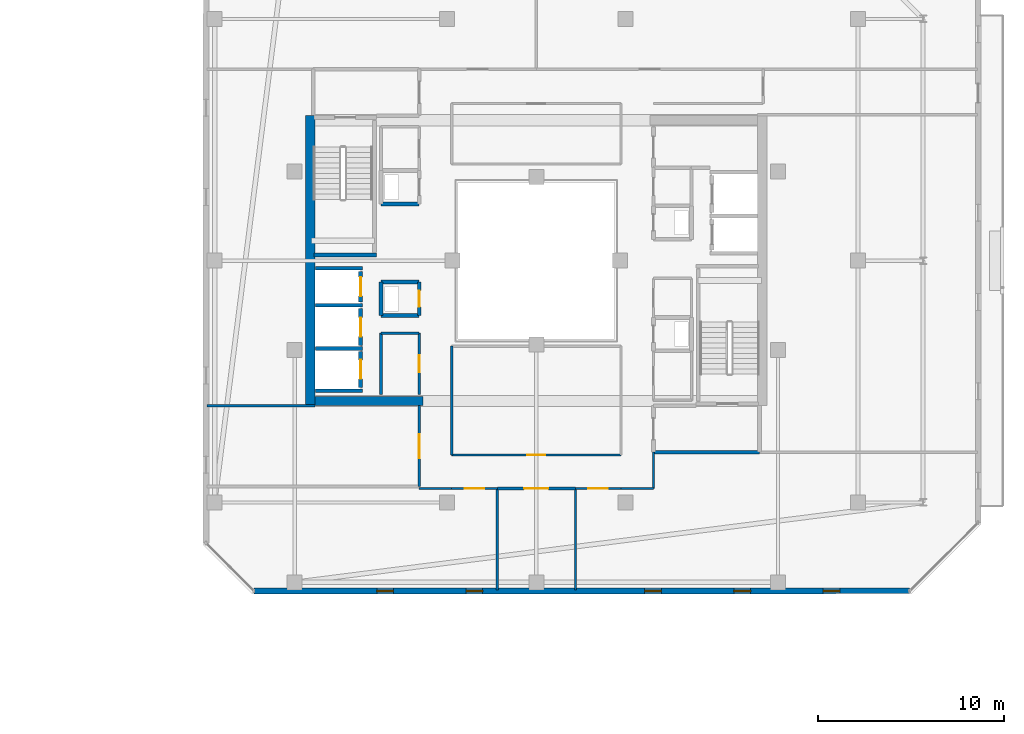
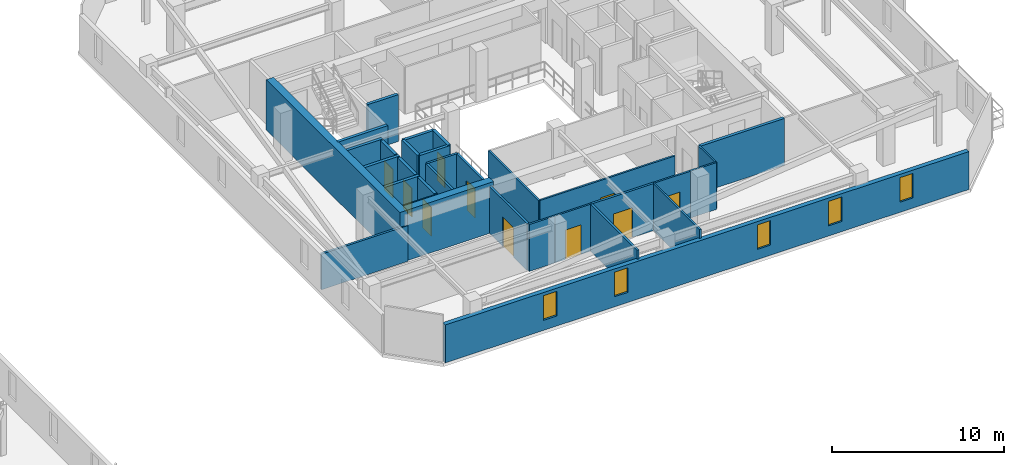
# One storey, part 25 of 34: 32 walls, 10 doors, 5 windows, 15 openings.
"""IFC4 building model written with IfcOpenShell, lengths in metres."""

from ifc_helpers import new_model, si_unit, direction, frame, frame_2d, origin, place, context, subcontext, project, spatial, rectangle, extrude, material, layer, layer_set, type_object, element, fill, save


model = new_model("IFC4")

# Units and contexts
model_context = context("Model", 3, precision=1e-05, world=origin(), true_north=direction((0.0, 1.0)))
body_context = subcontext(model_context, "Body", "Model", "MODEL_VIEW")
ifc_project = project(units=[si_unit("LENGTHUNIT", "METRE"), si_unit("AREAUNIT", "SQUARE_METRE"), si_unit("VOLUMEUNIT", "CUBIC_METRE"), si_unit("PLANEANGLEUNIT", "RADIAN"), si_unit("MASSUNIT", "GRAM", prefix="KILO")], contexts=[model_context])

# Site, building, storey
site_placement = place(None, origin())
site = spatial("IfcSite", under=ifc_project, at=site_placement, CompositionType="ELEMENT")
building_placement = place(site_placement, origin())
building = spatial("IfcBuilding", under=site, at=building_placement, Name="Thornwick Lancets Civic Towers", CompositionType="ELEMENT")
storey_placement = place(building_placement, frame((0.0, 0.0, 261.89990234375)))
storey = spatial("IfcBuildingStorey", under=building, at=storey_placement, Name="L70", CompositionType="ELEMENT", Elevation=261.89990234375)

# Wall, opening, door
ifc_material_1 = material(Name="Concrete blockwork C40/50", Category="masonry")
ifc_layer_1 = layer(ifc_material_1, 0.199951171875, Name="Concrete blockwork C40/50")
ifc_layer_set_1 = layer_set([ifc_layer_1], Name="Concrete blockwork C40/50")
wall_type_1 = type_object("IfcWallType", Name="WALL_COMP_200", PredefinedType="STANDARD", material=ifc_layer_set_1)
wall_1_placement = place(storey_placement, frame((79.050048828125, 24.780029296875, 0.0), z_axis=(0.0, 0.0, 1.0), x_axis=(0.0, 1.0, 0.0)))
wall_1 = element("IfcWall", 1, at=wall_1_placement, inside=storey, type_object=wall_type_1, Name="L70 Hoistway Front Wall FL-B2", PredefinedType="STANDARD", context=body_context, shape_type="SweptSolid", body=[
    extrude(rectangle(XDim=1.639892578125, YDim=0.199951171875, at=frame_2d((0.81982421875, 0.0))), origin(), (0.0, 0.0, 1.0), 3.340087890625),
])
opening_1_placement = place(wall_1_placement, frame((0.31005859375, 0.0, 0.0)))
opening_1 = element("IfcOpeningElement", 2, at=opening_1_placement, cuts=wall_1, Name="Opening LD-FL-B2", PredefinedType="OPENING", context=body_context, shape_type="SweptSolid", body=[
    extrude(rectangle(XDim=1.02001953125, YDim=2.06005859375, at=frame_2d((0.510009765625, 1.030029296875))), frame((0.0, 0.10986328125, 0.0), z_axis=(0.0, -1.0, 0.0), x_axis=(1.0, 0.0, 0.0)), (0.0, 0.0, 1.0), 0.219970703125),
])
ifc_material_2 = material(Name="Brushed bronze stainless steel", Category="steel")
door_type_1 = type_object("IfcDoorType", Name="DOOR_LIFT_SLIDE", OperationType="SLIDING_TO_LEFT", PredefinedType="DOOR", material=ifc_material_2)
door_1_placement = place(opening_1_placement, origin())
door_1 = element("IfcDoor", 3, at=door_1_placement, inside=storey, type_object=door_type_1, Name="L70 Sliding Lift Landing Door LD-FL-B2", OperationType="SLIDING_TO_LEFT", OverallHeight=2.06005859375, OverallWidth=1.02001953125, PredefinedType="DOOR", context=body_context, shape_type="SweptSolid", body=[
    extrude(rectangle(XDim=1.02001953125, YDim=2.06005859375, at=frame_2d((0.510009765625, 1.030029296875))), frame((0.0, 0.02490234375, 0.0), z_axis=(0.0, -1.0, 0.0), x_axis=(1.0, 0.0, 0.0)), (0.0, 0.0, 1.0), 0.050048828125),
])
fill(opening_1, door_1)

wall_2_placement = place(storey_placement, frame((79.050048828125, 22.429931640625, 0.0), z_axis=(0.0, 0.0, 1.0), x_axis=(0.0, 1.0, 0.0)))
wall_2 = element("IfcWall", 4, at=wall_2_placement, inside=storey, type_object=wall_type_1, Name="L70 Hoistway Front Wall PL-BH2", PredefinedType="STANDARD", context=body_context, shape_type="SweptSolid", body=[
    extrude(rectangle(XDim=1.989990234375, YDim=0.199951171875, at=frame_2d((0.9951171875, 0.0))), origin(), (0.0, 0.0, 1.0), 3.340087890625),
])
opening_2_placement = place(wall_2_placement, frame((0.485107421875, 0.0, 0.0)))
opening_2 = element("IfcOpeningElement", 5, at=opening_2_placement, cuts=wall_2, Name="Opening LD-PL-BH2", PredefinedType="OPENING", context=body_context, shape_type="SweptSolid", body=[
    extrude(rectangle(XDim=1.02001953125, YDim=2.06005859375, at=frame_2d((0.510009765625, 1.030029296875))), frame((0.0, 0.10986328125, 0.0), z_axis=(0.0, -1.0, 0.0), x_axis=(1.0, 0.0, 0.0)), (0.0, 0.0, 1.0), 0.219970703125),
])
door_2_placement = place(opening_2_placement, origin())
door_2 = element("IfcDoor", 6, at=door_2_placement, inside=storey, type_object=door_type_1, Name="L70 Sliding Lift Landing Door LD-PL-BH2", OperationType="SLIDING_TO_LEFT", OverallHeight=2.06005859375, OverallWidth=1.02001953125, PredefinedType="DOOR", context=body_context, shape_type="SweptSolid", body=[
    extrude(rectangle(XDim=1.02001953125, YDim=2.06005859375, at=frame_2d((0.510009765625, 1.030029296875))), frame((0.0, 0.02490234375, 0.0), z_axis=(0.0, -1.0, 0.0), x_axis=(1.0, 0.0, 0.0)), (0.0, 0.0, 1.0), 0.050048828125),
])
fill(opening_2, door_2)

wall_3_placement = place(storey_placement, frame((79.050048828125, 20.179931640625, 0.0), z_axis=(0.0, 0.0, 1.0), x_axis=(0.0, 1.0, 0.0)))
wall_3 = element("IfcWall", 7, at=wall_3_placement, inside=storey, type_object=wall_type_1, Name="L70 Hoistway Front Wall PL-BH3", PredefinedType="STANDARD", context=body_context, shape_type="SweptSolid", body=[
    extrude(rectangle(XDim=1.940185546875, YDim=0.199951171875, at=frame_2d((0.97021484375, 0.0))), origin(), (0.0, 0.0, 1.0), 3.340087890625),
])
opening_3_placement = place(wall_3_placement, frame((0.4599609375, 0.0, 0.0)))
opening_3 = element("IfcOpeningElement", 8, at=opening_3_placement, cuts=wall_3, Name="Opening LD-PL-BH3", PredefinedType="OPENING", context=body_context, shape_type="SweptSolid", body=[
    extrude(rectangle(XDim=1.02001953125, YDim=2.06005859375, at=frame_2d((0.510009765625, 1.030029296875))), frame((0.0, 0.10986328125, 0.0), z_axis=(0.0, -1.0, 0.0), x_axis=(1.0, 0.0, 0.0)), (0.0, 0.0, 1.0), 0.219970703125),
])
door_3_placement = place(opening_3_placement, origin())
door_3 = element("IfcDoor", 9, at=door_3_placement, inside=storey, type_object=door_type_1, Name="L70 Sliding Lift Landing Door LD-PL-BH3", OperationType="SLIDING_TO_LEFT", OverallHeight=2.06005859375, OverallWidth=1.02001953125, PredefinedType="DOOR", context=body_context, shape_type="SweptSolid", body=[
    extrude(rectangle(XDim=1.02001953125, YDim=2.06005859375, at=frame_2d((0.510009765625, 1.030029296875))), frame((0.0, 0.02490234375, 0.0), z_axis=(0.0, -1.0, 0.0), x_axis=(1.0, 0.0, 0.0)), (0.0, 0.0, 1.0), 0.050048828125),
])
fill(opening_3, door_3)

# Walls
for number, where, z_axis, x_axis, name in (
    (10, (76.612060546875, 26.60009765625, 0.0), (0.0, 0.0, 1.0), (1.0, 0.0, 0.0), "L70 Hoistway Shaft Wall FL-B2 N"),
    (11, (76.612060546875, 24.60009765625, 0.0), (0.0, 0.0, 1.0), (1.0, 0.0, 0.0), "L70 Hoistway Shaft Wall FL-B2 S"),
    (12, (76.612060546875, 22.27490234375, 0.0), (0.0, 0.0, 1.0), (1.0, 0.0, 0.0), "L70 Hoistway Shaft Wall PL-BH2 S"),
    (13, (76.612060546875, 20.0, 0.0), (0.0, 0.0, 1.0), (1.0, 0.0, 0.0), "L70 Hoistway Shaft Wall PL-BH3 S"),
):
    element("IfcWall", number, at=place(storey_placement, frame(where, z_axis=z_axis, x_axis=x_axis)), inside=storey, type_object=wall_type_1, Name=name, PredefinedType="STANDARD", context=body_context, shape_type="SweptSolid", body=[
        extrude(rectangle(XDim=2.535888671875, YDim=0.199951171875, at=frame_2d((1.26806640625, 0.0))), origin(), (0.0, 0.0, 1.0), 3.340087890625),
    ])
wall_4_placement = place(storey_placement, frame((94.800048828125, 16.699951171875, 0.0), z_axis=(0.0, 0.0, 1.0), x_axis=(1.0, 0.0, 0.0)))
element("IfcWall", 14, at=wall_4_placement, inside=storey, type_object=wall_type_1, Name="L70 Partition L70-B-FFLOB1 E1", PredefinedType="STANDARD", context=body_context, shape_type="SweptSolid", body=[
    extrude(rectangle(XDim=5.699951171875, YDim=0.199951171875, at=frame_2d((2.85009765625, 0.0))), origin(), (0.0, 0.0, 1.0), 3.340087890625),
])
wall_5_placement = place(storey_placement, frame((80.14990234375, 24.050048828125, 0.0), z_axis=(0.0, 0.0, 1.0), x_axis=(1.0, 0.0, 0.0)))
element("IfcWall", 15, at=wall_5_placement, inside=storey, type_object=wall_type_1, Name="L70 Partition L70-B-DUCT2 E1", PredefinedType="STANDARD", context=body_context, shape_type="SweptSolid", body=[
    extrude(rectangle(XDim=2.050048828125, YDim=0.199951171875, at=frame_2d((1.02490234375, 0.0))), origin(), (0.0, 0.0, 1.0), 3.340087890625),
])

# Wall, opening, door
wall_6_placement = place(storey_placement, frame((82.199951171875, 24.050048828125, 0.0), z_axis=(0.0, 0.0, 1.0), x_axis=(0.0, 1.0, 0.0)))
wall_6 = element("IfcWall", 16, at=wall_6_placement, inside=storey, type_object=wall_type_1, Name="L70 Partition L70-B-DUCT2 E2", PredefinedType="STANDARD", context=body_context, shape_type="SweptSolid", body=[
    extrude(rectangle(XDim=1.800048828125, YDim=0.199951171875, at=frame_2d((0.89990234375, 0.0))), origin(), (0.0, 0.0, 1.0), 3.340087890625),
])
opening_4_placement = place(wall_6_placement, frame((0.4599609375, 0.0, 0.0)))
opening_4 = element("IfcOpeningElement", 17, at=opening_4_placement, cuts=wall_6, Name="Opening D-L70-3195", PredefinedType="OPENING", context=body_context, shape_type="SweptSolid", body=[
    extrude(rectangle(XDim=0.8798828125, YDim=2.0400390625, at=frame_2d((0.43994140625, 1.02001953125))), frame((0.0, 0.10986328125, 0.0), z_axis=(0.0, -1.0, 0.0), x_axis=(1.0, 0.0, 0.0)), (0.0, 0.0, 1.0), 0.219970703125),
])
ifc_material_3 = material(Name="Steel riser access doorset", Category="steel")
door_type_2 = type_object("IfcDoorType", Name="DOOR_RISER_850", OperationType="NOTDEFINED", PredefinedType="DOOR", material=ifc_material_3)
door_4_placement = place(opening_4_placement, origin())
door_4 = element("IfcDoor", 18, at=door_4_placement, inside=storey, type_object=door_type_2, Name="L70 West Service Duct 2 Door", OperationType="SINGLE_SWING_RIGHT", OverallHeight=2.0400390625, OverallWidth=0.8798828125, PredefinedType="DOOR", context=body_context, shape_type="SweptSolid", body=[
    extrude(rectangle(XDim=0.8798828125, YDim=2.0400390625, at=frame_2d((0.43994140625, 1.02001953125))), frame((0.0, 0.02490234375, 0.0), z_axis=(0.0, -1.0, 0.0), x_axis=(1.0, 0.0, 0.0)), (0.0, 0.0, 1.0), 0.050048828125),
])
fill(opening_4, door_4)

# Walls
wall_7_placement = place(storey_placement, frame((82.199951171875, 25.85009765625, 0.0), z_axis=(0.0, 0.0, 1.0), x_axis=(-1.0, 0.0, 0.0)))
element("IfcWall", 19, at=wall_7_placement, inside=storey, type_object=wall_type_1, Name="L70 Partition L70-B-DUCT2 E3", PredefinedType="STANDARD", context=body_context, shape_type="SweptSolid", body=[
    extrude(rectangle(XDim=2.050048828125, YDim=0.199951171875, at=frame_2d((1.02490234375, 0.0))), origin(), (0.0, 0.0, 1.0), 3.340087890625),
])
wall_8_placement = place(storey_placement, frame((80.14990234375, 25.85009765625, 0.0), z_axis=(0.0, 0.0, 1.0), x_axis=(0.0, -1.0, 0.0)))
element("IfcWall", 20, at=wall_8_placement, inside=storey, type_object=wall_type_1, Name="L70 Partition L70-B-DUCT2 E4", PredefinedType="STANDARD", context=body_context, shape_type="SweptSolid", body=[
    extrude(rectangle(XDim=1.800048828125, YDim=0.199951171875, at=frame_2d((0.89990234375, 0.0))), origin(), (0.0, 0.0, 1.0), 3.340087890625),
])
wall_9_placement = place(storey_placement, frame((80.14990234375, 30.050048828125, 0.0), z_axis=(0.0, 0.0, 1.0), x_axis=(1.0, 0.0, 0.0)))
element("IfcWall", 21, at=wall_9_placement, inside=storey, type_object=wall_type_1, Name="L70 Partition L70-B-RISER2 E1", PredefinedType="STANDARD", context=body_context, shape_type="SweptSolid", body=[
    extrude(rectangle(XDim=2.050048828125, YDim=0.199951171875, at=frame_2d((1.02490234375, 0.0))), origin(), (0.0, 0.0, 1.0), 3.340087890625),
])
ifc_material_4 = material(Name="Concrete C50/60", Category="concrete")
ifc_layer_2 = layer(ifc_material_4, 0.5, Name="Concrete C50/60")
ifc_layer_set_2 = layer_set([ifc_layer_2], Name="Concrete C50/60")
wall_type_2 = type_object("IfcWallType", Name="WALL_CORE_500", PredefinedType="SHEAR", material=ifc_layer_set_2)
wall_10_placement = place(storey_placement, frame((76.35009765625, 19.199951171875, 0.0), z_axis=(0.0, 0.0, 1.0), x_axis=(0.0, 1.0, 0.0)))
element("IfcWall", 22, at=wall_10_placement, inside=storey, type_object=wall_type_2, Name="L70 Split Core B2 Shear Wall W", PredefinedType="SHEAR", context=body_context, shape_type="SweptSolid", body=[
    extrude(rectangle(XDim=15.60009765625, YDim=0.5, at=frame_2d((7.800048828125, 0.0))), origin(), (0.0, 0.0, 1.0), 3.60009765625),
])
wall_11_placement = place(storey_placement, frame((76.60009765625, 19.449951171875, 0.0), z_axis=(0.0, 0.0, 1.0), x_axis=(1.0, 0.0, 0.0)))
element("IfcWall", 23, at=wall_11_placement, inside=storey, type_object=wall_type_2, Name="L70 Split Core B2 Shear Wall S", PredefinedType="SHEAR", context=body_context, shape_type="SweptSolid", body=[
    extrude(rectangle(XDim=5.7998046875, YDim=0.5, at=frame_2d((2.89990234375, 0.0))), origin(), (0.0, 0.0, 1.0), 3.60009765625),
])

# Wall, openings, windows
ifc_material_5 = material(Name="Insulated russet terracotta rainscreen on concrete C40/50", Category="masonry")
ifc_layer_3 = layer(ifc_material_5, 0.300048828125, Name="Insulated russet terracotta rainscreen on concrete C40/50")
ifc_layer_set_3 = layer_set([ifc_layer_3], Name="Insulated russet terracotta rainscreen on concrete C40/50")
wall_type_3 = type_object("IfcWallType", Name="WALL_EXT_RUSSET_300", PredefinedType="STANDARD", material=ifc_layer_set_3)
wall_12_placement = place(storey_placement, frame((73.318603515625, 9.2353515625, 0.0), z_axis=(0.0, 0.0, 1.0), x_axis=(0.999999994606, 0.000103863011, 0.0)))
wall_12 = element("IfcWall", 24, at=wall_12_placement, inside=storey, type_object=wall_type_3, Name="L70 Tower B Terracotta Facade Wall E0", PredefinedType="STANDARD", context=body_context, shape_type="SweptSolid", body=[
    extrude(rectangle(XDim=35.259033203125, YDim=0.300048828125, at=frame_2d((17.62939453125, 0.0))), origin(), (0.0, 0.0, 1.0), 2.7001953125),
])
opening_5_placement = place(wall_12_placement, frame((6.60009765625, 0.0, 0.719970703125)))
opening_5 = element("IfcOpeningElement", 25, at=opening_5_placement, cuts=wall_12, Name="Opening WL-01", PredefinedType="OPENING", context=body_context, shape_type="SweptSolid", body=[
    extrude(rectangle(XDim=0.89990234375, YDim=1.75, at=frame_2d((0.449951171875, 0.875))), frame((0.0, 0.16015625, 0.0), z_axis=(0.0, -1.0, 0.0), x_axis=(1.0, 0.0, 0.0)), (0.0, 0.0, 1.0), 0.320068359375),
])
opening_6_placement = place(wall_12_placement, frame((11.39990234375, 0.0, 0.719970703125)))
opening_6 = element("IfcOpeningElement", 26, at=opening_6_placement, cuts=wall_12, Name="Opening WL-01", PredefinedType="OPENING", context=body_context, shape_type="SweptSolid", body=[
    extrude(rectangle(XDim=0.89990234375, YDim=1.75, at=frame_2d((0.449951171875, 0.875))), frame((0.0, 0.16015625, 0.0), z_axis=(0.0, -1.0, 0.0), x_axis=(1.0, 0.0, 0.0)), (0.0, 0.0, 1.0), 0.320068359375),
])
opening_7_placement = place(wall_12_placement, frame((21.0, 0.0, 0.719970703125)))
opening_7 = element("IfcOpeningElement", 27, at=opening_7_placement, cuts=wall_12, Name="Opening WL-01", PredefinedType="OPENING", context=body_context, shape_type="SweptSolid", body=[
    extrude(rectangle(XDim=0.89990234375, YDim=1.75, at=frame_2d((0.449951171875, 0.875))), frame((0.0, 0.16015625, 0.0), z_axis=(0.0, -1.0, 0.0), x_axis=(1.0, 0.0, 0.0)), (0.0, 0.0, 1.0), 0.320068359375),
])
opening_8_placement = place(wall_12_placement, frame((25.800048828125, 0.0, 0.719970703125)))
opening_8 = element("IfcOpeningElement", 28, at=opening_8_placement, cuts=wall_12, Name="Opening WL-01", PredefinedType="OPENING", context=body_context, shape_type="SweptSolid", body=[
    extrude(rectangle(XDim=0.89990234375, YDim=1.75, at=frame_2d((0.449951171875, 0.875))), frame((0.0, 0.16015625, 0.0), z_axis=(0.0, -1.0, 0.0), x_axis=(1.0, 0.0, 0.0)), (0.0, 0.0, 1.0), 0.320068359375),
])
opening_9_placement = place(wall_12_placement, frame((30.60009765625, 0.0, 0.719970703125)))
opening_9 = element("IfcOpeningElement", 29, at=opening_9_placement, cuts=wall_12, Name="Opening WL-01", PredefinedType="OPENING", context=body_context, shape_type="SweptSolid", body=[
    extrude(rectangle(XDim=0.89990234375, YDim=1.75, at=frame_2d((0.449951171875, 0.875))), frame((0.0, 0.16015625, 0.0), z_axis=(0.0, -1.0, 0.0), x_axis=(1.0, 0.0, 0.0)), (0.0, 0.0, 1.0), 0.320068359375),
])
ifc_material_6 = material(Name="Clear low-e double glazing in bronze frame", Category="glass")
window_type = type_object("IfcWindowType", Name="WIN_LANCET_900", PartitioningType="SINGLE_PANEL", PredefinedType="WINDOW", material=ifc_material_6)
window_1_placement = place(opening_5_placement, origin())
window_1 = element("IfcWindow", 30, at=window_1_placement, inside=storey, type_object=window_type, Name="L70 Tower B Staggered Lancet Window E0-1", OverallHeight=1.75, OverallWidth=0.89990234375, PartitioningType="SINGLE_PANEL", PredefinedType="WINDOW", context=body_context, shape_type="SweptSolid", body=[
    extrude(rectangle(XDim=0.89990234375, YDim=1.75, at=frame_2d((0.449951171875, 0.875))), frame((0.0, 0.030029296875, 0.0), z_axis=(0.0, -1.0, 0.0), x_axis=(1.0, 0.0, 0.0)), (0.0, 0.0, 1.0), 0.06005859375),
])
fill(opening_5, window_1)
window_2_placement = place(opening_6_placement, origin())
window_2 = element("IfcWindow", 31, at=window_2_placement, inside=storey, type_object=window_type, Name="L70 Tower B Staggered Lancet Window E0-2", OverallHeight=1.75, OverallWidth=0.89990234375, PartitioningType="SINGLE_PANEL", PredefinedType="WINDOW", context=body_context, shape_type="SweptSolid", body=[
    extrude(rectangle(XDim=0.89990234375, YDim=1.75, at=frame_2d((0.449951171875, 0.875))), frame((0.0, 0.030029296875, 0.0), z_axis=(0.0, -1.0, 0.0), x_axis=(1.0, 0.0, 0.0)), (0.0, 0.0, 1.0), 0.06005859375),
])
fill(opening_6, window_2)
window_3_placement = place(opening_7_placement, origin())
window_3 = element("IfcWindow", 32, at=window_3_placement, inside=storey, type_object=window_type, Name="L70 Tower B Staggered Lancet Window E0-3", OverallHeight=1.75, OverallWidth=0.89990234375, PartitioningType="SINGLE_PANEL", PredefinedType="WINDOW", context=body_context, shape_type="SweptSolid", body=[
    extrude(rectangle(XDim=0.89990234375, YDim=1.75, at=frame_2d((0.449951171875, 0.875))), frame((0.0, 0.030029296875, 0.0), z_axis=(0.0, -1.0, 0.0), x_axis=(1.0, 0.0, 0.0)), (0.0, 0.0, 1.0), 0.06005859375),
])
fill(opening_7, window_3)
window_4_placement = place(opening_8_placement, origin())
window_4 = element("IfcWindow", 33, at=window_4_placement, inside=storey, type_object=window_type, Name="L70 Tower B Staggered Lancet Window E0-4", OverallHeight=1.75, OverallWidth=0.89990234375, PartitioningType="SINGLE_PANEL", PredefinedType="WINDOW", context=body_context, shape_type="SweptSolid", body=[
    extrude(rectangle(XDim=0.89990234375, YDim=1.75, at=frame_2d((0.449951171875, 0.875))), frame((0.0, 0.030029296875, 0.0), z_axis=(0.0, -1.0, 0.0), x_axis=(1.0, 0.0, 0.0)), (0.0, 0.0, 1.0), 0.06005859375),
])
fill(opening_8, window_4)
window_5_placement = place(opening_9_placement, origin())
window_5 = element("IfcWindow", 34, at=window_5_placement, inside=storey, type_object=window_type, Name="L70 Tower B Staggered Lancet Window E0-5", OverallHeight=1.75, OverallWidth=0.89990234375, PartitioningType="SINGLE_PANEL", PredefinedType="WINDOW", context=body_context, shape_type="SweptSolid", body=[
    extrude(rectangle(XDim=0.89990234375, YDim=1.75, at=frame_2d((0.449951171875, 0.875))), frame((0.0, 0.030029296875, 0.0), z_axis=(0.0, -1.0, 0.0), x_axis=(1.0, 0.0, 0.0)), (0.0, 0.0, 1.0), 0.06005859375),
])
fill(opening_9, window_5)

# Wall
ifc_material_7 = material(Name="Acoustic gypsum board partition")
ifc_layer_4 = layer(ifc_material_7, 0.1201171875, Name="Acoustic gypsum board partition")
ifc_layer_set_4 = layer_set([ifc_layer_4], Name="Acoustic gypsum board partition")
wall_type_4 = type_object("IfcWallType", Name="WALL_PART_120", PredefinedType="PARTITIONING", material=ifc_layer_set_4)
wall_13_placement = place(storey_placement, frame((90.60009765625, 9.280029296875, 0.0), z_axis=(0.0, 0.0, 1.0), x_axis=(0.0, 1.0, 0.0)))
element("IfcWall", 35, at=wall_13_placement, inside=storey, type_object=wall_type_4, Name="L70 Partition L70-B-W1 E2", PredefinedType="PARTITIONING", context=body_context, shape_type="SweptSolid", body=[
    extrude(rectangle(XDim=5.469970703125, YDim=0.1201171875, at=frame_2d((2.73486328125, 0.0))), origin(), (0.0, 0.0, 1.0), 3.340087890625),
])

# Wall, opening, door
wall_14_placement = place(storey_placement, frame((90.60009765625, 14.75, 0.0), z_axis=(0.0, 0.0, 1.0), x_axis=(1.0, 0.0, 0.0)))
wall_14 = element("IfcWall", 36, at=wall_14_placement, inside=storey, type_object=wall_type_4, Name="L70 Partition L70-B-W1 E3", PredefinedType="PARTITIONING", context=body_context, shape_type="SweptSolid", body=[
    extrude(rectangle(XDim=2.449951171875, YDim=0.1201171875, at=frame_2d((1.22509765625, 0.0))), origin(), (0.0, 0.0, 1.0), 3.340087890625),
])
opening_10_placement = place(wall_14_placement, frame((0.699951171875, 0.0, 0.0)))
opening_10 = element("IfcOpeningElement", 37, at=opening_10_placement, cuts=wall_14, Name="Opening D-L70-3214", PredefinedType="OPENING", context=body_context, shape_type="SweptSolid", body=[
    extrude(rectangle(XDim=1.050048828125, YDim=2.10009765625, at=frame_2d((0.52490234375, 1.050048828125))), frame((0.0, 0.070068359375, 0.0), z_axis=(0.0, -1.0, 0.0), x_axis=(1.0, 0.0, 0.0)), (0.0, 0.0, 1.0), 0.14013671875),
])
ifc_material_8 = material(Name="Glazed European oak executive doorset")
door_type_3 = type_object("IfcDoorType", Name="DOOR_OFFICE_1050", OperationType="NOTDEFINED", PredefinedType="DOOR", material=ifc_material_8)
door_5_placement = place(opening_10_placement, origin())
door_5 = element("IfcDoor", 38, at=door_5_placement, inside=storey, type_object=door_type_3, Name="L70 Tower B Ministry Directorate Office W1 Door", OperationType="SINGLE_SWING_LEFT", OverallHeight=2.10009765625, OverallWidth=1.050048828125, PredefinedType="DOOR", context=body_context, shape_type="SweptSolid", body=[
    extrude(rectangle(XDim=1.050048828125, YDim=2.10009765625, at=frame_2d((0.52490234375, 1.050048828125))), frame((0.0, 0.02490234375, 0.0), z_axis=(0.0, -1.0, 0.0), x_axis=(1.0, 0.0, 0.0)), (0.0, 0.0, 1.0), 0.050048828125),
])
fill(opening_10, door_5)

# Walls
wall_15_placement = place(storey_placement, frame((93.050048828125, 14.75, 0.0), z_axis=(0.0, 0.0, 1.0), x_axis=(1.0, 0.0, 0.0)))
element("IfcWall", 39, at=wall_15_placement, inside=storey, type_object=wall_type_4, Name="L70 Partition L70-B-W1 E4", PredefinedType="PARTITIONING", context=body_context, shape_type="SweptSolid", body=[
    extrude(rectangle(XDim=1.75, YDim=0.1201171875, at=frame_2d((0.875, 0.0))), origin(), (0.0, 0.0, 1.0), 3.340087890625),
])
wall_16_placement = place(storey_placement, frame((94.800048828125, 14.75, 0.0), z_axis=(0.0, 0.0, 1.0), x_axis=(0.0, 1.0, 0.0)))
element("IfcWall", 40, at=wall_16_placement, inside=storey, type_object=wall_type_4, Name="L70 Partition L70-B-W1 E5", PredefinedType="PARTITIONING", context=body_context, shape_type="SweptSolid", body=[
    extrude(rectangle(XDim=1.949951171875, YDim=0.1201171875, at=frame_2d((0.97509765625, 0.0))), origin(), (0.0, 0.0, 1.0), 3.340087890625),
])
wall_17_placement = place(storey_placement, frame((82.199951171875, 14.75, 0.0), z_axis=(0.0, 0.0, 1.0), x_axis=(1.0, 0.0, 0.0)))
element("IfcWall", 41, at=wall_17_placement, inside=storey, type_object=wall_type_4, Name="L70 Partition L70-B-W2B E5", PredefinedType="PARTITIONING", context=body_context, shape_type="SweptSolid", body=[
    extrude(rectangle(XDim=1.75, YDim=0.1201171875, at=frame_2d((0.875, 0.0))), origin(), (0.0, 0.0, 1.0), 3.340087890625),
])

# Wall, opening, door
wall_18_placement = place(storey_placement, frame((83.949951171875, 14.75, 0.0), z_axis=(0.0, 0.0, 1.0), x_axis=(1.0, 0.0, 0.0)))
wall_18 = element("IfcWall", 42, at=wall_18_placement, inside=storey, type_object=wall_type_4, Name="L70 Partition L70-B-W2B E6", PredefinedType="PARTITIONING", context=body_context, shape_type="SweptSolid", body=[
    extrude(rectangle(XDim=2.449951171875, YDim=0.1201171875, at=frame_2d((1.22509765625, 0.0))), origin(), (0.0, 0.0, 1.0), 3.340087890625),
])
opening_11_placement = place(wall_18_placement, frame((0.699951171875, 0.0, 0.0)))
opening_11 = element("IfcOpeningElement", 43, at=opening_11_placement, cuts=wall_18, Name="Opening D-L70-3216", PredefinedType="OPENING", context=body_context, shape_type="SweptSolid", body=[
    extrude(rectangle(XDim=1.050048828125, YDim=2.10009765625, at=frame_2d((0.52490234375, 1.050048828125))), frame((0.0, 0.070068359375, 0.0), z_axis=(0.0, -1.0, 0.0), x_axis=(1.0, 0.0, 0.0)), (0.0, 0.0, 1.0), 0.14013671875),
])
door_6_placement = place(opening_11_placement, origin())
door_6 = element("IfcDoor", 44, at=door_6_placement, inside=storey, type_object=door_type_3, Name="L70 Tower B Parliamentary Casework Suite W2B Door", OperationType="SINGLE_SWING_LEFT", OverallHeight=2.10009765625, OverallWidth=1.050048828125, PredefinedType="DOOR", context=body_context, shape_type="SweptSolid", body=[
    extrude(rectangle(XDim=1.050048828125, YDim=2.10009765625, at=frame_2d((0.52490234375, 1.050048828125))), frame((0.0, 0.02490234375, 0.0), z_axis=(0.0, -1.0, 0.0), x_axis=(1.0, 0.0, 0.0)), (0.0, 0.0, 1.0), 0.050048828125),
])
fill(opening_11, door_6)

# Wall
wall_19_placement = place(storey_placement, frame((83.949951171875, 16.550048828125, 0.0), z_axis=(0.0, 0.0, 1.0), x_axis=(0.0, 1.0, 0.0)))
element("IfcWall", 45, at=wall_19_placement, inside=storey, type_object=wall_type_4, Name="L70 Partition L70-B-W3 E1", PredefinedType="PARTITIONING", context=body_context, shape_type="SweptSolid", body=[
    extrude(rectangle(XDim=5.849853515625, YDim=0.1201171875, at=frame_2d((2.9248046875, 0.0))), origin(), (0.0, 0.0, 1.0), 3.340087890625),
])

# Wall, opening, door
wall_20_placement = place(storey_placement, frame((93.050048828125, 16.550048828125, 0.0), z_axis=(0.0, 0.0, 1.0), x_axis=(-1.0, 0.0, 0.0)))
wall_20 = element("IfcWall", 46, at=wall_20_placement, inside=storey, type_object=wall_type_4, Name="L70 Partition L70-B-W3 E4", PredefinedType="PARTITIONING", context=body_context, shape_type="SweptSolid", body=[
    extrude(rectangle(XDim=9.10009765625, YDim=0.1201171875, at=frame_2d((4.550048828125, 0.0))), origin(), (0.0, 0.0, 1.0), 3.340087890625),
])
opening_12_placement = place(wall_20_placement, frame((4.074951171875, 0.0, 0.0)))
opening_12 = element("IfcOpeningElement", 47, at=opening_12_placement, cuts=wall_20, Name="Opening D-L70-3217", PredefinedType="OPENING", context=body_context, shape_type="SweptSolid", body=[
    extrude(rectangle(XDim=0.949951171875, YDim=2.10009765625, at=frame_2d((0.47509765625, 1.050048828125))), frame((0.0, 0.070068359375, 0.0), z_axis=(0.0, -1.0, 0.0), x_axis=(1.0, 0.0, 0.0)), (0.0, 0.0, 1.0), 0.14013671875),
])
ifc_material_9 = material(Name="European oak acoustic doorset")
door_type_4 = type_object("IfcDoorType", Name="DOOR_OFFICE_950", OperationType="NOTDEFINED", PredefinedType="DOOR", material=ifc_material_9)
door_7_placement = place(opening_12_placement, origin())
door_7 = element("IfcDoor", 48, at=door_7_placement, inside=storey, type_object=door_type_4, Name="L70 Tower B West Atrium Gallery Suite Door", OperationType="SINGLE_SWING_RIGHT", OverallHeight=2.10009765625, OverallWidth=0.949951171875, PredefinedType="DOOR", context=body_context, shape_type="SweptSolid", body=[
    extrude(rectangle(XDim=0.949951171875, YDim=2.10009765625, at=frame_2d((0.47509765625, 1.050048828125))), frame((0.0, 0.02490234375, 0.0), z_axis=(0.0, -1.0, 0.0), x_axis=(1.0, 0.0, 0.0)), (0.0, 0.0, 1.0), 0.050048828125),
])
fill(opening_12, door_7)

ifc_material_10 = material(Name="Twin-stud acoustic gypsum board")
ifc_layer_5 = layer(ifc_material_10, 0.14990234375, Name="Twin-stud acoustic gypsum board")
ifc_layer_set_5 = layer_set([ifc_layer_5], Name="Twin-stud acoustic gypsum board")
wall_type_5 = type_object("IfcWallType", Name="WALL_PART_150", PredefinedType="PARTITIONING", material=ifc_layer_set_5)
wall_21_placement = place(storey_placement, frame((82.199951171875, 19.800048828125, 0.0), z_axis=(0.0, 0.0, 1.0), x_axis=(0.0, 1.0, 0.0)))
wall_21 = element("IfcWall", 49, at=wall_21_placement, inside=storey, type_object=wall_type_5, Name="L70 Partition L70-B-MWC E2", PredefinedType="PARTITIONING", context=body_context, shape_type="SweptSolid", body=[
    extrude(rectangle(XDim=3.300048828125, YDim=0.14990234375, at=frame_2d((1.64990234375, 0.0))), origin(), (0.0, 0.0, 1.0), 3.340087890625),
])
opening_13_placement = place(wall_21_placement, frame((1.18994140625, 0.0, 0.0)))
opening_13 = element("IfcOpeningElement", 50, at=opening_13_placement, cuts=wall_21, Name="Opening D-L70-3201", PredefinedType="OPENING", context=body_context, shape_type="SweptSolid", body=[
    extrude(rectangle(XDim=0.919921875, YDim=2.080078125, at=frame_2d((0.4599609375, 1.0400390625))), frame((0.0, 0.0849609375, 0.0), z_axis=(0.0, -1.0, 0.0), x_axis=(1.0, 0.0, 0.0)), (0.0, 0.0, 1.0), 0.169921875),
])
ifc_material_11 = material(Name="Moisture-resistant oak doorset")
door_type_5 = type_object("IfcDoorType", Name="DOOR_WC_900", OperationType="NOTDEFINED", PredefinedType="DOOR", material=ifc_material_11)
door_8_placement = place(opening_13_placement, origin())
door_8 = element("IfcDoor", 51, at=door_8_placement, inside=storey, type_object=door_type_5, Name="L70 Tower B Male WC Door", OperationType="SINGLE_SWING_RIGHT", OverallHeight=2.080078125, OverallWidth=0.919921875, PredefinedType="DOOR", context=body_context, shape_type="SweptSolid", body=[
    extrude(rectangle(XDim=0.919921875, YDim=2.080078125, at=frame_2d((0.4599609375, 1.0400390625))), frame((0.0, 0.02490234375, 0.0), z_axis=(0.0, -1.0, 0.0), x_axis=(1.0, 0.0, 0.0)), (0.0, 0.0, 1.0), 0.050048828125),
])
fill(opening_13, door_8)

# Walls
wall_22_placement = place(storey_placement, frame((82.199951171875, 23.10009765625, 0.0), z_axis=(0.0, 0.0, 1.0), x_axis=(-1.0, 0.0, 0.0)))
element("IfcWall", 52, at=wall_22_placement, inside=storey, type_object=wall_type_5, Name="L70 Partition L70-B-MWC E3", PredefinedType="PARTITIONING", context=body_context, shape_type="SweptSolid", body=[
    extrude(rectangle(XDim=2.050048828125, YDim=0.14990234375, at=frame_2d((1.02490234375, 0.0))), origin(), (0.0, 0.0, 1.0), 3.340087890625),
])
wall_23_placement = place(storey_placement, frame((80.14990234375, 23.10009765625, 0.0), z_axis=(0.0, 0.0, 1.0), x_axis=(0.0, -1.0, 0.0)))
element("IfcWall", 53, at=wall_23_placement, inside=storey, type_object=wall_type_5, Name="L70 Partition L70-B-MWC E4", PredefinedType="PARTITIONING", context=body_context, shape_type="SweptSolid", body=[
    extrude(rectangle(XDim=3.300048828125, YDim=0.14990234375, at=frame_2d((1.64990234375, 0.0))), origin(), (0.0, 0.0, 1.0), 3.340087890625),
])
wall_24_placement = place(storey_placement, frame((70.780029296875, 19.199951171875, 0.0), z_axis=(0.0, 0.0, 1.0), x_axis=(1.0, 0.0, 0.0)))
element("IfcWall", 54, at=wall_24_placement, inside=storey, type_object=wall_type_5, Name="L70 Partition L70-B-RECLAIM-M1 E3", PredefinedType="PARTITIONING", context=body_context, shape_type="SweptSolid", body=[
    extrude(rectangle(XDim=5.820068359375, YDim=0.14990234375, at=frame_2d((2.91015625, 0.0))), origin(), (0.0, 0.0, 1.0), 2.545166015625),
])

# Wall, opening, door
wall_25_placement = place(storey_placement, frame((82.199951171875, 19.199951171875, 0.0), z_axis=(0.0, 0.0, 1.0), x_axis=(0.0, -1.0, 0.0)))
wall_25 = element("IfcWall", 55, at=wall_25_placement, inside=storey, type_object=wall_type_5, Name="L70 Partition L70-B-RECLAIM-M1 E4", PredefinedType="PARTITIONING", context=body_context, shape_type="SweptSolid", body=[
    extrude(rectangle(XDim=4.349853515625, YDim=0.14990234375, at=frame_2d((2.1748046875, 0.0))), origin(), (0.0, 0.0, 1.0), 3.340087890625),
])
opening_14_placement = place(wall_25_placement, frame((1.52490234375, 0.0, 0.0)))
opening_14 = element("IfcOpeningElement", 56, at=opening_14_placement, cuts=wall_25, Name="Opening D-L70-3213", PredefinedType="OPENING", context=body_context, shape_type="SweptSolid", body=[
    extrude(rectangle(XDim=1.300048828125, YDim=2.1201171875, at=frame_2d((0.64990234375, 1.06005859375))), frame((0.0, 0.0849609375, 0.0), z_axis=(0.0, -1.0, 0.0), x_axis=(1.0, 0.0, 0.0)), (0.0, 0.0, 1.0), 0.169921875),
])
ifc_material_12 = material(Name="Acoustic oak leaf-and-a-half doorset")
door_type_6 = type_object("IfcDoorType", Name="DOOR_MEET_1300", OperationType="DOUBLE_DOOR_SINGLE_SWING", PredefinedType="DOOR", material=ifc_material_12)
door_9_placement = place(opening_14_placement, origin())
door_9 = element("IfcDoor", 57, at=door_9_placement, inside=storey, type_object=door_type_6, Name="L70 Tower B Diplomatic Conference Suite Door", OperationType="DOUBLE_DOOR_SINGLE_SWING", OverallHeight=2.1201171875, OverallWidth=1.300048828125, PredefinedType="DOOR", context=body_context, shape_type="SweptSolid", body=[
    extrude(rectangle(XDim=1.300048828125, YDim=2.1201171875, at=frame_2d((0.64990234375, 1.06005859375))), frame((0.0, 0.02490234375, 0.0), z_axis=(0.0, -1.0, 0.0), x_axis=(1.0, 0.0, 0.0)), (0.0, 0.0, 1.0), 0.050048828125),
])
fill(opening_14, door_9)

# Wall
wall_26_placement = place(storey_placement, frame((86.39990234375, 9.280029296875, 0.0), z_axis=(0.0, 0.0, 1.0), x_axis=(0.0, 1.0, 0.0)))
element("IfcWall", 58, at=wall_26_placement, inside=storey, type_object=wall_type_5, Name="L70 Partition L70-B-W2 E3", PredefinedType="PARTITIONING", context=body_context, shape_type="SweptSolid", body=[
    extrude(rectangle(XDim=5.469970703125, YDim=0.14990234375, at=frame_2d((2.73486328125, 0.0))), origin(), (0.0, 0.0, 1.0), 3.340087890625),
])

# Wall, opening, door
wall_27_placement = place(storey_placement, frame((86.39990234375, 14.75, 0.0), z_axis=(0.0, 0.0, 1.0), x_axis=(1.0, 0.0, 0.0)))
wall_27 = element("IfcWall", 59, at=wall_27_placement, inside=storey, type_object=wall_type_5, Name="L70 Partition L70-B-W2 E4", PredefinedType="PARTITIONING", context=body_context, shape_type="SweptSolid", body=[
    extrude(rectangle(XDim=4.2001953125, YDim=0.14990234375, at=frame_2d((2.10009765625, 0.0))), origin(), (0.0, 0.0, 1.0), 3.340087890625),
])
opening_15_placement = place(wall_27_placement, frame((1.449951171875, 0.0, 0.0)))
opening_15 = element("IfcOpeningElement", 60, at=opening_15_placement, cuts=wall_27, Name="Opening D-L70-3215", PredefinedType="OPENING", context=body_context, shape_type="SweptSolid", body=[
    extrude(rectangle(XDim=1.300048828125, YDim=2.1201171875, at=frame_2d((0.64990234375, 1.06005859375))), frame((0.0, 0.0849609375, 0.0), z_axis=(0.0, -1.0, 0.0), x_axis=(1.0, 0.0, 0.0)), (0.0, 0.0, 1.0), 0.169921875),
])
door_10_placement = place(opening_15_placement, origin())
door_10 = element("IfcDoor", 61, at=door_10_placement, inside=storey, type_object=door_type_6, Name="L70 Tower B Policy Briefing Room W2 Door", OperationType="DOUBLE_DOOR_SINGLE_SWING", OverallHeight=2.1201171875, OverallWidth=1.300048828125, PredefinedType="DOOR", context=body_context, shape_type="SweptSolid", body=[
    extrude(rectangle(XDim=1.300048828125, YDim=2.1201171875, at=frame_2d((0.64990234375, 1.06005859375))), frame((0.0, 0.02490234375, 0.0), z_axis=(0.0, -1.0, 0.0), x_axis=(1.0, 0.0, 0.0)), (0.0, 0.0, 1.0), 0.050048828125),
])
fill(opening_15, door_10)

# Wall
ifc_material_13 = material(Name="Concrete C40/50", Category="concrete")
ifc_layer_6 = layer(ifc_material_13, 0.199951171875, Name="Concrete C40/50")
ifc_layer_set_6 = layer_set([ifc_layer_6], Name="Concrete C40/50")
wall_type_6 = type_object("IfcWallType", Name="WALL_SHAFT_200", PredefinedType="SHEAR", material=ifc_layer_set_6)
wall_28_placement = place(storey_placement, frame((79.89990234375, 27.300048828125, 0.0), z_axis=(0.0, 0.0, 1.0), x_axis=(-1.0, 0.0, 0.0)))
element("IfcWall", 62, at=wall_28_placement, inside=storey, type_object=wall_type_6, Name="L70 ST-B2 Fire Stair Core Wall FAR", PredefinedType="SHEAR", context=body_context, shape_type="SweptSolid", body=[
    extrude(rectangle(XDim=3.349853515625, YDim=0.199951171875, at=frame_2d((1.6748046875, 0.0))), origin(), (0.0, 0.0, 1.0), 3.60009765625),
])

save(model, "model.ifc")
